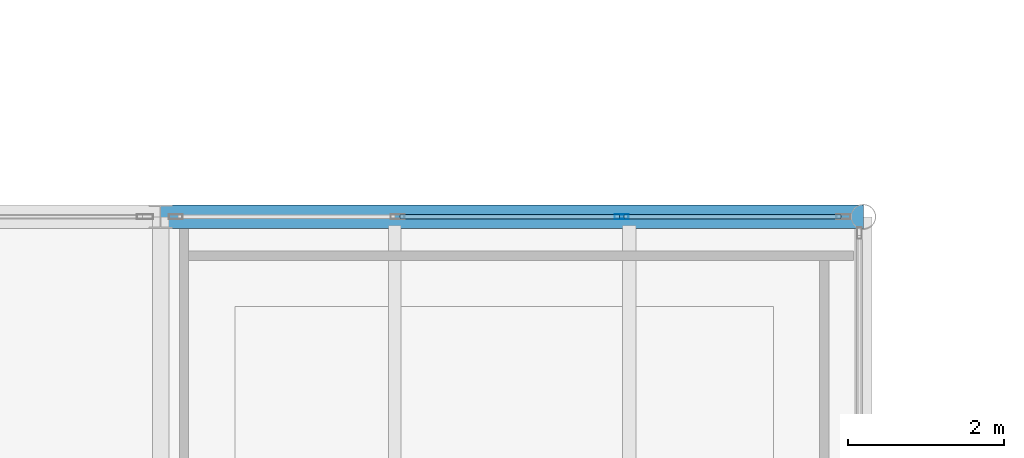
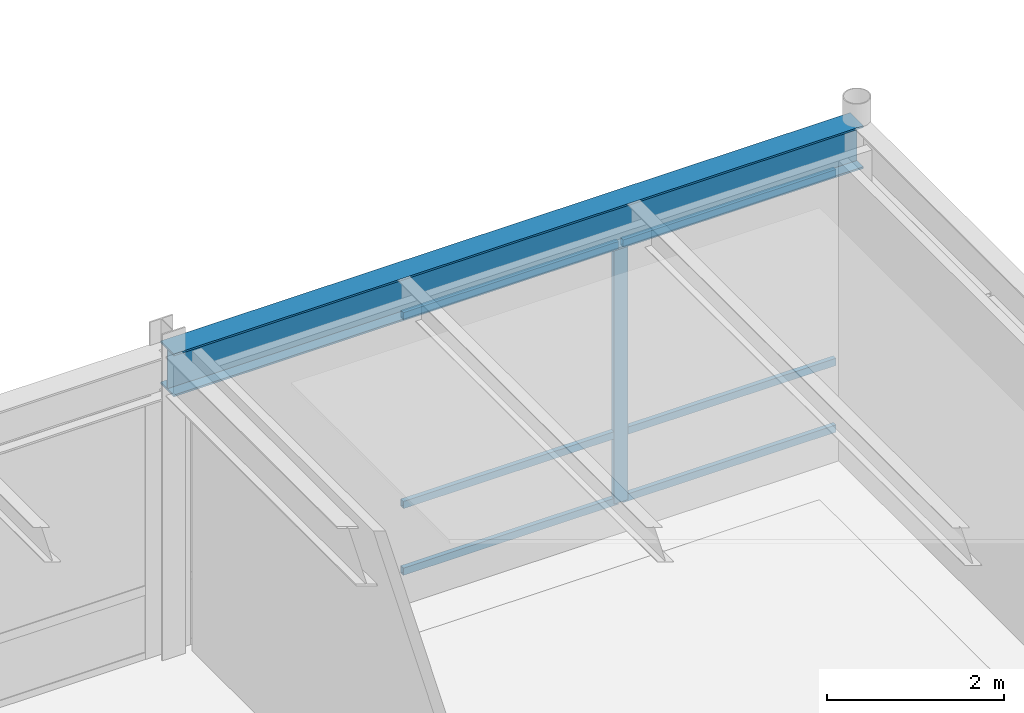
# One storey, part 79 of 127: 7 members, 1 beam, 1 element without a shape of its own.
"""IFC4 building model written with IfcOpenShell, lengths in metres."""

from ifc_helpers import new_model, si_unit, direction, frame, origin, origin_2d, place, context, subcontext, project, spatial, hollow_rectangle, i_section, extrude, material, layer, layer_set, material_profile, profile_set, type_object, element, aggregate, save


model = new_model("IFC4")

# Units and contexts
model_context = context("Model", 3, precision=1e-05, world=origin(), true_north=direction((0.0, 1.0)))
body_context = subcontext(model_context, "Body", "Model", "MODEL_VIEW")
ifc_project = project(units=[si_unit("LENGTHUNIT", "METRE"), si_unit("AREAUNIT", "SQUARE_METRE"), si_unit("VOLUMEUNIT", "CUBIC_METRE"), si_unit("PLANEANGLEUNIT", "RADIAN"), si_unit("MASSUNIT", "GRAM", prefix="KILO")], contexts=[model_context])

# Site, building, storey
site_placement = place(None, origin())
site = spatial("IfcSite", under=ifc_project, at=site_placement, CompositionType="ELEMENT")
building_placement = place(site_placement, origin())
building = spatial("IfcBuilding", under=site, at=building_placement, Name="Montelvaro Courts of Justice", CompositionType="ELEMENT")
storey_placement = place(building_placement, frame((0.0, 0.0, 5.39990234375)))
storey = spatial("IfcBuildingStorey", under=building, at=storey_placement, Name="L01", CompositionType="ELEMENT", Elevation=5.39990234375)

# Beam
ifc_material_1 = material(Name="Steel S355", Category="steel")
ifc_material_profile_1 = material_profile(ifc_material_1, i_section(OverallWidth=0.300048828125, OverallDepth=0.590087890625, WebThickness=0.012939453125, FlangeThickness=0.02490234375, at=origin_2d()), Name="HEA 600")
ifc_profile_set_1 = profile_set([ifc_material_profile_1], Name="Steel S355")
beam_type = type_object("IfcBeamType", Name="Beam_HEA600", PredefinedType="USERDEFINED", material=ifc_profile_set_1)
beam_placement = place(storey_placement, frame((72.0, 108.0, 3.885009765625), z_axis=(1.0, 0.0, 0.0), x_axis=(0.0, 1.0, 0.0)))
element("IfcBeam", 1, at=beam_placement, inside=storey, type_object=beam_type, Name="Beam B-21 L01", ObjectType="GIRDER", PredefinedType="USERDEFINED", context=body_context, shape_type="SweptSolid", body=[
    extrude(i_section(OverallWidth=0.300048828125, OverallDepth=0.590087890625, WebThickness=0.012939453125, FlangeThickness=0.02490234375, at=origin_2d()), origin(), (0.0, 0.0, 1.0), 9.0),
])

# Curtain wall, members
ifc_material_2 = material(Name="Anodised aluminium EN AW-6063", Category="aluminium")
ifc_layer = layer(ifc_material_2, 0.159912109375)
ifc_layer_set = layer_set([ifc_layer], Name="Anodised aluminium EN AW-6063")
curtain_wall_type = type_object("IfcCurtainWallType", Name="CurtainWall_17_861x418", PredefinedType="USERDEFINED", material=ifc_layer_set)
curtain_wall_placement = place(storey_placement, origin())
curtain_wall = element("IfcCurtainWall", 2, at=curtain_wall_placement, inside=storey, type_object=curtain_wall_type, Name="Curtain Wall CW-17 (L01)", ObjectType="CURTAIN WALL", PredefinedType="USERDEFINED")
ifc_material_profile_2 = material_profile(ifc_material_2, hollow_rectangle(XDim=0.06005859375, YDim=0.179931640625, WallThickness=0.00439453125, at=origin_2d()), Name="ALU-M 60x180")
ifc_profile_set_2 = profile_set([ifc_material_profile_2], Name="Anodised aluminium EN AW-6063")
member_type_1 = type_object("IfcMemberType", Name="CurtainWall_Mullion_60x180", PredefinedType="MULLION", material=ifc_profile_set_2)
member_1_placement = place(storey_placement, frame((77.903564453125, 108.0, 0.0), z_axis=(0.0, 0.0, 1.0), x_axis=(0.0, -1.0, 0.0)))
member_1 = element("IfcMember", 3, at=member_1_placement, type_object=member_type_1, Name="CW-17 mullion 2", PredefinedType="MULLION", context=body_context, shape_type="SweptSolid", body=[
    extrude(hollow_rectangle(XDim=0.06005859375, YDim=0.179931640625, WallThickness=0.00439453125, at=origin_2d()), origin(), (0.0, 0.0, 1.0), 3.585205078125),
])
ifc_material_profile_3 = material_profile(ifc_material_2, hollow_rectangle(XDim=0.06005859375, YDim=0.10009765625, WallThickness=0.00341796875, at=origin_2d()), Name="ALU-T 60x100")
ifc_profile_set_3 = profile_set([ifc_material_profile_3], Name="Anodised aluminium EN AW-6063")
member_type_2 = type_object("IfcMemberType", Name="CurtainWall_Transom_60x100", PredefinedType="USERDEFINED", material=ifc_profile_set_3)
member_2_placement = place(storey_placement, frame((80.712890625, 108.0, 0.030029296875), z_axis=(-1.0, 0.0, 0.0), x_axis=(0.0, -1.0, 0.0)))
member_2 = element("IfcMember", 4, at=member_2_placement, type_object=member_type_2, Name="CW-17 transom 1.1", ObjectType="TRANSOM", PredefinedType="USERDEFINED", context=body_context, shape_type="SweptSolid", body=[
    extrude(hollow_rectangle(XDim=0.06005859375, YDim=0.10009765625, WallThickness=0.00341796875, at=origin_2d()), origin(), (0.0, 0.0, 1.0), 2.779296875),
])
member_3_placement = place(storey_placement, frame((80.712890625, 108.0, 0.9501953125), z_axis=(-1.0, 0.0, 0.0), x_axis=(0.0, -1.0, 0.0)))
member_3 = element("IfcMember", 5, at=member_3_placement, type_object=member_type_2, Name="CW-17 transom 1.2", ObjectType="TRANSOM", PredefinedType="USERDEFINED", context=body_context, shape_type="SweptSolid", body=[
    extrude(hollow_rectangle(XDim=0.06005859375, YDim=0.10009765625, WallThickness=0.00341796875, at=origin_2d()), origin(), (0.0, 0.0, 1.0), 2.779296875),
])
member_4_placement = place(storey_placement, frame((80.712890625, 108.0, 3.55517578125), z_axis=(-1.0, 0.0, 0.0), x_axis=(0.0, -1.0, 0.0)))
member_4 = element("IfcMember", 6, at=member_4_placement, type_object=member_type_2, Name="CW-17 transom 1.3", ObjectType="TRANSOM", PredefinedType="USERDEFINED", context=body_context, shape_type="SweptSolid", body=[
    extrude(hollow_rectangle(XDim=0.06005859375, YDim=0.10009765625, WallThickness=0.00341796875, at=origin_2d()), origin(), (0.0, 0.0, 1.0), 2.779296875),
])
member_5_placement = place(storey_placement, frame((77.873779296875, 108.0, 0.030029296875), z_axis=(-1.0, 0.0, 0.0), x_axis=(0.0, -1.0, 0.0)))
member_5 = element("IfcMember", 7, at=member_5_placement, type_object=member_type_2, Name="CW-17 transom 2.1", ObjectType="TRANSOM", PredefinedType="USERDEFINED", context=body_context, shape_type="SweptSolid", body=[
    extrude(hollow_rectangle(XDim=0.06005859375, YDim=0.10009765625, WallThickness=0.00341796875, at=origin_2d()), origin(), (0.0, 0.0, 1.0), 2.809326171875),
])
member_6_placement = place(storey_placement, frame((77.873779296875, 108.0, 0.9501953125), z_axis=(-1.0, 0.0, 0.0), x_axis=(0.0, -1.0, 0.0)))
member_6 = element("IfcMember", 8, at=member_6_placement, type_object=member_type_2, Name="CW-17 transom 2.2", ObjectType="TRANSOM", PredefinedType="USERDEFINED", context=body_context, shape_type="SweptSolid", body=[
    extrude(hollow_rectangle(XDim=0.06005859375, YDim=0.10009765625, WallThickness=0.00341796875, at=origin_2d()), origin(), (0.0, 0.0, 1.0), 2.809326171875),
])
member_7_placement = place(storey_placement, frame((77.873779296875, 108.0, 3.55517578125), z_axis=(-1.0, 0.0, 0.0), x_axis=(0.0, -1.0, 0.0)))
member_7 = element("IfcMember", 9, at=member_7_placement, type_object=member_type_2, Name="CW-17 transom 2.3", ObjectType="TRANSOM", PredefinedType="USERDEFINED", context=body_context, shape_type="SweptSolid", body=[
    extrude(hollow_rectangle(XDim=0.06005859375, YDim=0.10009765625, WallThickness=0.00341796875, at=origin_2d()), origin(), (0.0, 0.0, 1.0), 2.809326171875),
])
aggregate(curtain_wall, [member_1, member_2, member_3, member_4, member_5, member_6, member_7])

save(model, "model.ifc")
